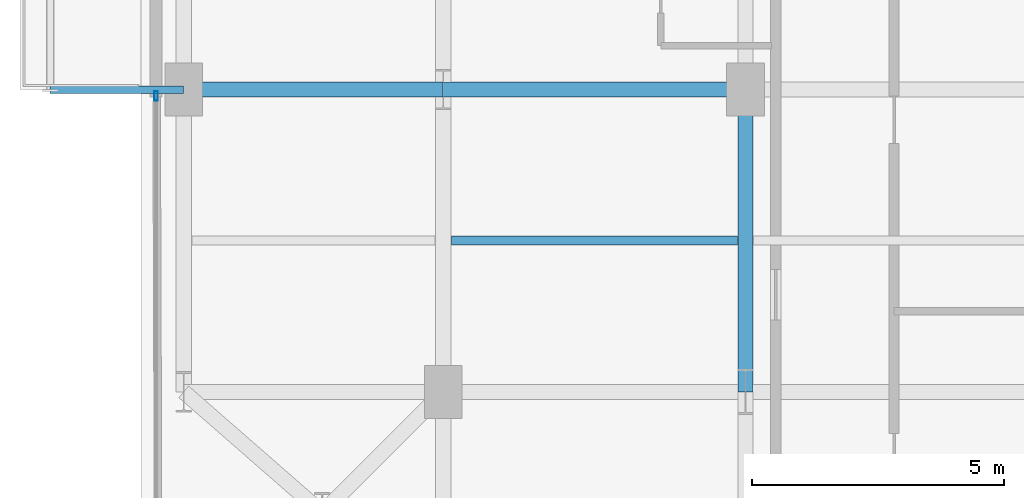
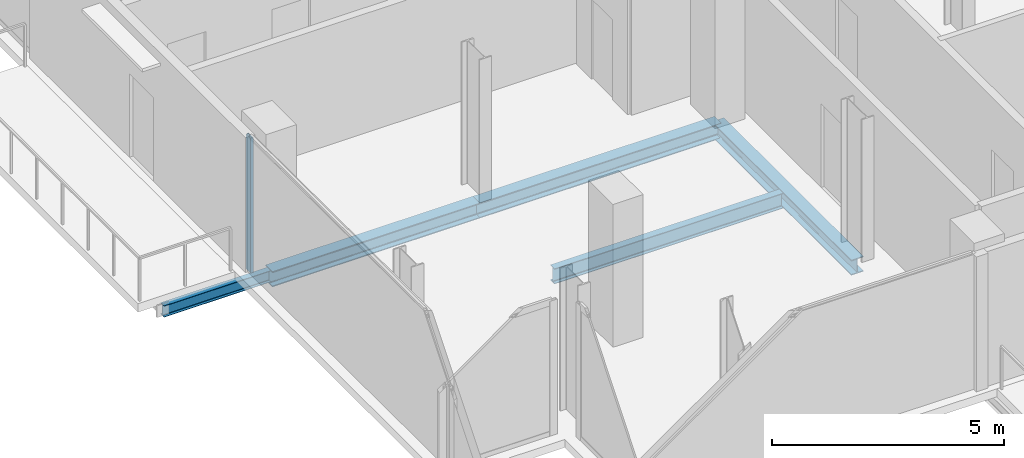
# One storey, part 3 of 21: 5 beams, 1 member, 1 element without a shape of its own.
"""IFC4 building model written with IfcOpenShell, lengths in metres."""

from ifc_helpers import new_model, si_unit, direction, frame, origin, origin_2d, place, context, subcontext, project, spatial, hollow_rectangle, i_section, extrude, material, layer, layer_set, material_profile, profile_set, type_object, element, aggregate, save


model = new_model("IFC4")

# Units and contexts
model_context = context("Model", 3, precision=1e-05, world=origin(), true_north=direction((0.0, 1.0)))
body_context = subcontext(model_context, "Body", "Model", "MODEL_VIEW")
ifc_project = project(units=[si_unit("LENGTHUNIT", "METRE"), si_unit("AREAUNIT", "SQUARE_METRE"), si_unit("VOLUMEUNIT", "CUBIC_METRE"), si_unit("PLANEANGLEUNIT", "RADIAN"), si_unit("MASSUNIT", "GRAM", prefix="KILO"), si_unit("THERMODYNAMICTEMPERATUREUNIT", "KELVIN"), si_unit("POWERUNIT", "WATT")], contexts=[model_context])

# Site, building, storey
site_placement = place(None, origin())
site = spatial("IfcSite", under=ifc_project, at=site_placement, CompositionType="ELEMENT")
building_placement = place(site_placement, origin())
building = spatial("IfcBuilding", under=site, at=building_placement, Name="Svarakhadi Broadcast Tower", CompositionType="ELEMENT")
storey_placement = place(building_placement, frame((0.0, 0.0, 223.64990234375)))
storey = spatial("IfcBuildingStorey", under=building, at=storey_placement, Name="L55", CompositionType="ELEMENT", Elevation=223.64990234375)

# Beam
ifc_material_1 = material(Name="Steel S355J2 (IS 2062 E350C)", Category="steel")
ifc_material_profile_1 = material_profile(ifc_material_1, i_section(OverallWidth=0.179931640625, OverallDepth=0.39990234375, WebThickness=0.008544921875, FlangeThickness=0.013427734375, FilletRadius=0.02099609375, at=origin_2d()), Name="NPB 400x180x66")
ifc_profile_set_1 = profile_set([ifc_material_profile_1], Name="Steel S355J2 (IS 2062 E350C)")
beam_type_1 = type_object("IfcBeamType", Name="Beam_NPB400", PredefinedType="BEAM", material=ifc_profile_set_1)
beam_1_placement = place(storey_placement, frame((6.159912109375, 9.0, -0.409912109375), z_axis=(1.0, 0.0, 0.0), x_axis=(0.0, 1.0, 0.0)))
element("IfcBeam", 1, at=beam_1_placement, inside=storey, type_object=beam_type_1, Name="L55 Secondary Composite Beam SB006", PredefinedType="BEAM", context=body_context, shape_type="SweptSolid", body=[
    extrude(i_section(OverallWidth=0.179931640625, OverallDepth=0.39990234375, WebThickness=0.008544921875, FlangeThickness=0.013427734375, FilletRadius=0.02099609375, at=origin_2d()), origin(), (0.0, 0.0, 1.0), 5.68017578125),
])

# Curtain wall, member
ifc_material_2 = material(Name="Anodised Bronze Aluminium AA 6063-T6", Category="aluminium")
ifc_layer = layer(ifc_material_2, 0.18994140625)
ifc_layer_set = layer_set([ifc_layer], Name="Anodised Bronze Aluminium AA 6063-T6")
curtain_wall_type = type_object("IfcCurtainWallType", Name="CW_Sys_04", PredefinedType="NOTDEFINED", material=ifc_layer_set)
curtain_wall_placement = place(storey_placement, origin())
curtain_wall = element("IfcCurtainWall", 2, at=curtain_wall_placement, inside=storey, type_object=curtain_wall_type, Name="L55 West Curtain Wall 02", PredefinedType="NOTDEFINED")
ifc_material_profile_2 = material_profile(ifc_material_2, hollow_rectangle(XDim=0.070068359375, YDim=0.18994140625, WallThickness=0.005615234375, at=origin_2d()), Name="ALU MULLION 190x70x6")
ifc_profile_set_2 = profile_set([ifc_material_profile_2], Name="Anodised Bronze Aluminium AA 6063-T6")
member_type = type_object("IfcMemberType", Name="CW_Sys_04_Mul", PredefinedType="MULLION", material=ifc_profile_set_2)
member_placement = place(storey_placement, frame((0.300048828125, 11.875, 0.0), z_axis=(0.0, 0.0, 1.0), x_axis=(-1.0, 0.0, 0.0)))
member = element("IfcMember", 3, at=member_placement, type_object=member_type, Name="CW-04 mullion 2", PredefinedType="MULLION", context=body_context, shape_type="SweptSolid", body=[
    extrude(hollow_rectangle(XDim=0.070068359375, YDim=0.18994140625, WallThickness=0.005615234375, at=origin_2d()), origin(), (0.0, 0.0, 1.0), 3.5400390625),
])
aggregate(curtain_wall, [member])

# Beams
ifc_material_profile_3 = material_profile(ifc_material_1, i_section(OverallWidth=0.300048828125, OverallDepth=0.39990234375, WebThickness=0.013427734375, FlangeThickness=0.02392578125, FilletRadius=0.027099609375, at=origin_2d()), Name="WPB 400x300x155")
ifc_profile_set_3 = profile_set([ifc_material_profile_3], Name="Steel S355J2 (IS 2062 E350C)")
beam_type_2 = type_object("IfcBeamType", Name="Girder_WPB400", PredefinedType="USERDEFINED", material=ifc_profile_set_3)
beam_2_placement = place(storey_placement, frame((0.85009765625, 12.0, -0.409912109375), z_axis=(1.0, 0.0, 0.0), x_axis=(0.0, 1.0, 0.0)))
element("IfcBeam", 4, at=beam_2_placement, inside=storey, type_object=beam_type_2, Name="L55 Primary E-W Girder G015", ObjectType="GIRDER", PredefinedType="USERDEFINED", context=body_context, shape_type="SweptSolid", body=[
    extrude(i_section(OverallWidth=0.300048828125, OverallDepth=0.39990234375, WebThickness=0.013427734375, FlangeThickness=0.02392578125, FilletRadius=0.027099609375, at=origin_2d()), origin(), (0.0, 0.0, 1.0), 5.14990234375),
])
for number, where, z_axis, x_axis, name in (
    (5, (6.0, 12.0, -0.409912109375), (1.0, 0.0, 0.0), (0.0, 1.0, 0.0), "L55 Primary E-W Girder G016"),
    (6, (12.0, 6.0, -0.409912109375), (0.0, 1.0, 0.0), (-1.0, 0.0, 0.0), "L55 Primary N-S Girder G043"),
):
    element("IfcBeam", number, at=place(storey_placement, frame(where, z_axis=z_axis, x_axis=x_axis)), inside=storey, type_object=beam_type_2, Name=name, ObjectType="GIRDER", PredefinedType="USERDEFINED", context=body_context, shape_type="SweptSolid", body=[
        extrude(i_section(OverallWidth=0.300048828125, OverallDepth=0.39990234375, WebThickness=0.013427734375, FlangeThickness=0.02392578125, FilletRadius=0.027099609375, at=origin_2d()), origin(), (0.0, 0.0, 1.0), 6.0),
    ])
ifc_material_profile_4 = material_profile(ifc_material_1, i_section(OverallWidth=0.14990234375, OverallDepth=0.300048828125, WebThickness=0.007080078125, FlangeThickness=0.0107421875, FilletRadius=0.014892578125, at=origin_2d()), Name="NPB 300x150x37")
ifc_profile_set_4 = profile_set([ifc_material_profile_4], Name="Steel S355J2 (IS 2062 E350C)")
beam_type_3 = type_object("IfcBeamType", Name="Spandrel_NPB300", PredefinedType="SPANDREL", material=ifc_profile_set_4)
beam_3_placement = place(storey_placement, frame((0.85009765625, 12.0, -0.375), z_axis=(-1.0, 0.0, 0.0), x_axis=(0.0, -1.0, 0.0)))
element("IfcBeam", 7, at=beam_3_placement, inside=storey, type_object=beam_type_3, Name="L55 Balcony Cantilever Bracket 2A", PredefinedType="SPANDREL", context=body_context, shape_type="SweptSolid", body=[
    extrude(i_section(OverallWidth=0.14990234375, OverallDepth=0.300048828125, WebThickness=0.007080078125, FlangeThickness=0.0107421875, FilletRadius=0.014892578125, at=origin_2d()), origin(), (0.0, 0.0, 1.0), 2.650146484375),
])

save(model, "model.ifc")
